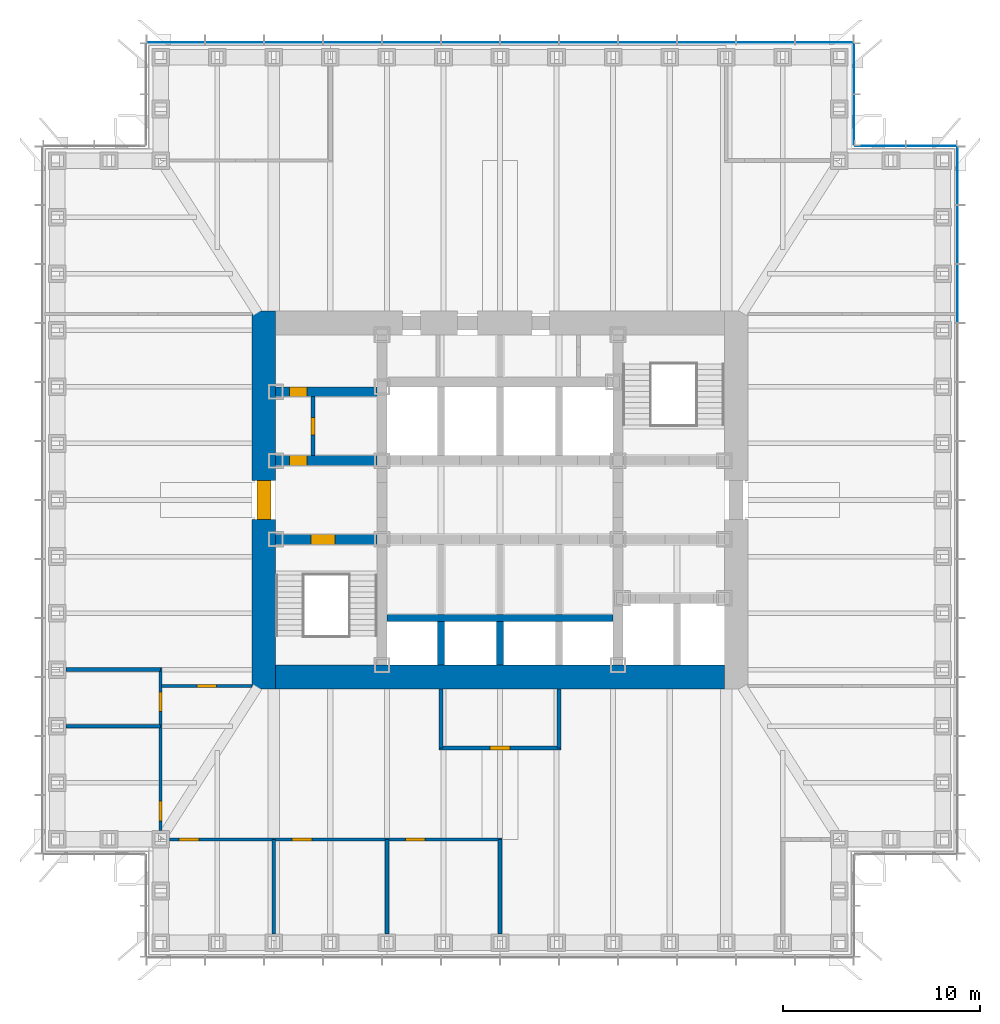
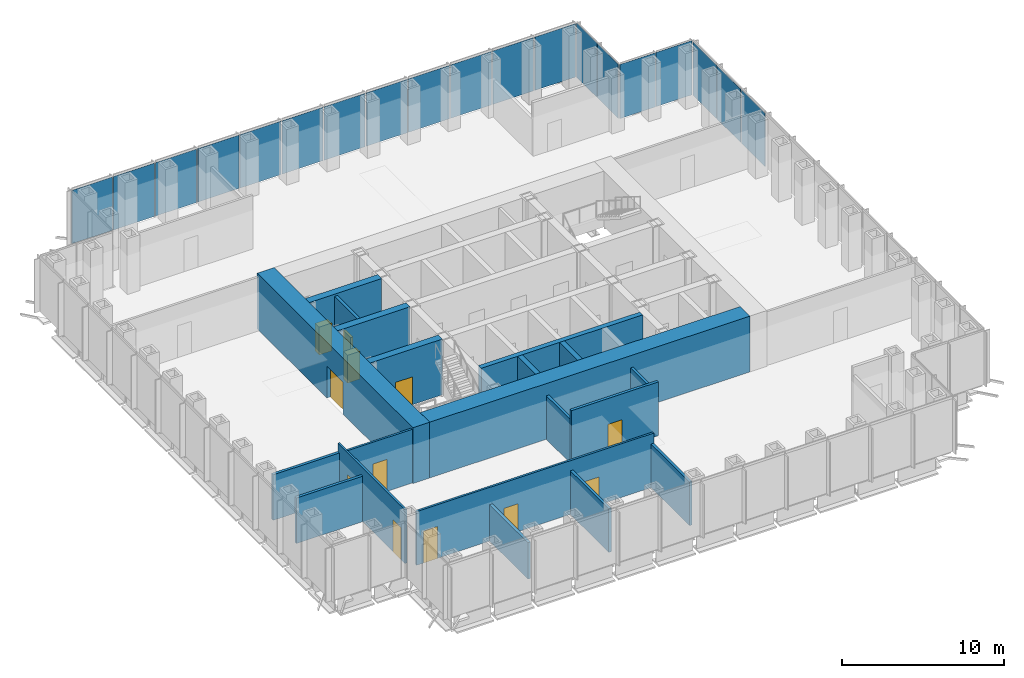
# One storey, part 8 of 17: 20 walls, 19 plates, 12 doors, 12 openings, 4 elements without a shape of their own.
"""IFC4 building model written with IfcOpenShell, lengths in metres."""

from ifc_helpers import new_model, si_unit, direction, frame, frame_2d, origin, origin_2d, place, context, subcontext, project, spatial, rectangle, extrude, material, layer, layer_set, type_object, element, fill, aggregate, save


model = new_model("IFC4")

# Units and contexts
model_context = context("Model", 3, precision=1e-05, world=origin(), true_north=direction((0.0, 1.0)))
body_context = subcontext(model_context, "Body", "Model", "MODEL_VIEW")
ifc_project = project(units=[si_unit("LENGTHUNIT", "METRE"), si_unit("AREAUNIT", "SQUARE_METRE"), si_unit("VOLUMEUNIT", "CUBIC_METRE"), si_unit("PLANEANGLEUNIT", "RADIAN"), si_unit("MASSUNIT", "GRAM", prefix="KILO")], contexts=[model_context])

# Site, building, storey
site_placement = place(None, origin())
site = spatial("IfcSite", under=ifc_project, at=site_placement, CompositionType="ELEMENT")
building_placement = place(site_placement, origin())
building = spatial("IfcBuilding", under=site, at=building_placement, Name="Daluyong Arena Tower", CompositionType="ELEMENT")
storey_placement = place(building_placement, frame((0.0, 0.0, 112.300048828125)))
storey = spatial("IfcBuildingStorey", under=building, at=storey_placement, Name="L24", CompositionType="ELEMENT", Elevation=112.300048828125)

# Curtain wall, plates
ifc_material_1 = material(Name="Bronze anodised aluminium and glass", Category="aluminium")
curtain_wall_type_1 = type_object("IfcCurtainWallType", Name="Curtain wall CW2", PredefinedType="USERDEFINED", material=ifc_material_1)
curtain_wall_1_placement = place(storey_placement, origin())
curtain_wall_1 = element("IfcCurtainWall", 1, at=curtain_wall_1_placement, inside=storey, type_object=curtain_wall_type_1, Name="curtain wall L24 E", ObjectType="UNITISED CURTAIN WALL", PredefinedType="USERDEFINED")
ifc_material_2 = material(Name="Tinted double glazed unit", Category="glass")
ifc_layer_1 = layer(ifc_material_2, 0.031982421875)
ifc_layer_set_1 = layer_set([ifc_layer_1], Name="Tinted double glazed unit")
plate_type_1 = type_object("IfcPlateType", Name="CW2 panel 32", PredefinedType="CURTAIN_PANEL", material=ifc_layer_set_1)
plate_1_placement = place(storey_placement, frame((79.25, 90.5, 0.0), z_axis=(0.0, 0.0, 1.0), x_axis=(0.0, 1.0, 0.0)))
plate_1 = element("IfcPlate", 2, at=plate_1_placement, type_object=plate_type_1, Name="curtain wall L24 E panel 10", PredefinedType="CURTAIN_PANEL", context=body_context, shape_type="SweptSolid", body=[
    extrude(rectangle(XDim=2.919921875, YDim=0.031982421875, at=origin_2d()), origin(), (0.0, 0.0, 1.0), 4.02001953125),
])
plate_2_placement = place(storey_placement, frame((79.25, 93.5, 0.0), z_axis=(0.0, 0.0, 1.0), x_axis=(0.0, 1.0, 0.0)))
plate_2 = element("IfcPlate", 3, at=plate_2_placement, type_object=plate_type_1, Name="curtain wall L24 E panel 11", PredefinedType="CURTAIN_PANEL", context=body_context, shape_type="SweptSolid", body=[
    extrude(rectangle(XDim=2.919921875, YDim=0.031982421875, at=origin_2d()), origin(), (0.0, 0.0, 1.0), 4.02001953125),
])
plate_3_placement = place(storey_placement, frame((79.25, 96.47998046875, 0.0), z_axis=(0.0, 0.0, 1.0), x_axis=(0.0, 1.0, 0.0)))
plate_3 = element("IfcPlate", 4, at=plate_3_placement, type_object=plate_type_1, Name="curtain wall L24 E panel 12", PredefinedType="CURTAIN_PANEL", context=body_context, shape_type="SweptSolid", body=[
    extrude(rectangle(XDim=2.8798828125, YDim=0.031982421875, at=origin_2d()), origin(), (0.0, 0.0, 1.0), 4.02001953125),
])
aggregate(curtain_wall_1, [plate_1, plate_2, plate_3])

curtain_wall_2_placement = place(storey_placement, origin())
curtain_wall_2 = element("IfcCurtainWall", 5, at=curtain_wall_2_placement, inside=storey, type_object=curtain_wall_type_1, Name="curtain wall L24 N", ObjectType="UNITISED CURTAIN WALL", PredefinedType="USERDEFINED")
plate_4_placement = place(storey_placement, frame((72.47998046875, 103.25, 0.0), z_axis=(0.0, 0.0, 1.0), x_axis=(-1.0, 0.0, 0.0)))
plate_4 = element("IfcPlate", 6, at=plate_4_placement, type_object=plate_type_1, Name="curtain wall L24 N panel 1", PredefinedType="CURTAIN_PANEL", context=body_context, shape_type="SweptSolid", body=[
    extrude(rectangle(XDim=2.8798828125, YDim=0.031982421875, at=origin_2d()), origin(), (0.0, 0.0, 1.0), 4.02001953125),
])
plate_5_placement = place(storey_placement, frame((69.5, 103.25, 0.0), z_axis=(0.0, 0.0, 1.0), x_axis=(-1.0, 0.0, 0.0)))
plate_5 = element("IfcPlate", 7, at=plate_5_placement, type_object=plate_type_1, Name="curtain wall L24 N panel 2", PredefinedType="CURTAIN_PANEL", context=body_context, shape_type="SweptSolid", body=[
    extrude(rectangle(XDim=2.919921875, YDim=0.031982421875, at=origin_2d()), origin(), (0.0, 0.0, 1.0), 4.02001953125),
])
plate_6_placement = place(storey_placement, frame((66.5, 103.25, 0.0), z_axis=(0.0, 0.0, 1.0), x_axis=(-1.0, 0.0, 0.0)))
plate_6 = element("IfcPlate", 8, at=plate_6_placement, type_object=plate_type_1, Name="curtain wall L24 N panel 3", PredefinedType="CURTAIN_PANEL", context=body_context, shape_type="SweptSolid", body=[
    extrude(rectangle(XDim=2.919921875, YDim=0.031982421875, at=origin_2d()), origin(), (0.0, 0.0, 1.0), 4.02001953125),
])
plate_7_placement = place(storey_placement, frame((63.5, 103.25, 0.0), z_axis=(0.0, 0.0, 1.0), x_axis=(-1.0, 0.0, 0.0)))
plate_7 = element("IfcPlate", 9, at=plate_7_placement, type_object=plate_type_1, Name="curtain wall L24 N panel 4", PredefinedType="CURTAIN_PANEL", context=body_context, shape_type="SweptSolid", body=[
    extrude(rectangle(XDim=2.919921875, YDim=0.031982421875, at=origin_2d()), origin(), (0.0, 0.0, 1.0), 4.02001953125),
])
plate_8_placement = place(storey_placement, frame((60.5, 103.25, 0.0), z_axis=(0.0, 0.0, 1.0), x_axis=(-1.0, 0.0, 0.0)))
plate_8 = element("IfcPlate", 10, at=plate_8_placement, type_object=plate_type_1, Name="curtain wall L24 N panel 5", PredefinedType="CURTAIN_PANEL", context=body_context, shape_type="SweptSolid", body=[
    extrude(rectangle(XDim=2.919921875, YDim=0.031982421875, at=origin_2d()), origin(), (0.0, 0.0, 1.0), 4.02001953125),
])
plate_9_placement = place(storey_placement, frame((57.5, 103.25, 0.0), z_axis=(0.0, 0.0, 1.0), x_axis=(-1.0, 0.0, 0.0)))
plate_9 = element("IfcPlate", 11, at=plate_9_placement, type_object=plate_type_1, Name="curtain wall L24 N panel 6", PredefinedType="CURTAIN_PANEL", context=body_context, shape_type="SweptSolid", body=[
    extrude(rectangle(XDim=2.919921875, YDim=0.031982421875, at=origin_2d()), origin(), (0.0, 0.0, 1.0), 4.02001953125),
])
plate_10_placement = place(storey_placement, frame((54.5, 103.25, 0.0), z_axis=(0.0, 0.0, 1.0), x_axis=(-1.0, 0.0, 0.0)))
plate_10 = element("IfcPlate", 12, at=plate_10_placement, type_object=plate_type_1, Name="curtain wall L24 N panel 7", PredefinedType="CURTAIN_PANEL", context=body_context, shape_type="SweptSolid", body=[
    extrude(rectangle(XDim=2.919921875, YDim=0.031982421875, at=origin_2d()), origin(), (0.0, 0.0, 1.0), 4.02001953125),
])
plate_11_placement = place(storey_placement, frame((51.5, 103.25, 0.0), z_axis=(0.0, 0.0, 1.0), x_axis=(-1.0, 0.0, 0.0)))
plate_11 = element("IfcPlate", 13, at=plate_11_placement, type_object=plate_type_1, Name="curtain wall L24 N panel 8", PredefinedType="CURTAIN_PANEL", context=body_context, shape_type="SweptSolid", body=[
    extrude(rectangle(XDim=2.919921875, YDim=0.031982421875, at=origin_2d()), origin(), (0.0, 0.0, 1.0), 4.02001953125),
])
plate_12_placement = place(storey_placement, frame((48.5, 103.25, 0.0), z_axis=(0.0, 0.0, 1.0), x_axis=(-1.0, 0.0, 0.0)))
plate_12 = element("IfcPlate", 14, at=plate_12_placement, type_object=plate_type_1, Name="curtain wall L24 N panel 9", PredefinedType="CURTAIN_PANEL", context=body_context, shape_type="SweptSolid", body=[
    extrude(rectangle(XDim=2.919921875, YDim=0.031982421875, at=origin_2d()), origin(), (0.0, 0.0, 1.0), 4.02001953125),
])
plate_13_placement = place(storey_placement, frame((45.5, 103.25, 0.0), z_axis=(0.0, 0.0, 1.0), x_axis=(-1.0, 0.0, 0.0)))
plate_13 = element("IfcPlate", 15, at=plate_13_placement, type_object=plate_type_1, Name="curtain wall L24 N panel 10", PredefinedType="CURTAIN_PANEL", context=body_context, shape_type="SweptSolid", body=[
    extrude(rectangle(XDim=2.919921875, YDim=0.031982421875, at=origin_2d()), origin(), (0.0, 0.0, 1.0), 4.02001953125),
])
plate_14_placement = place(storey_placement, frame((42.5, 103.25, 0.0), z_axis=(0.0, 0.0, 1.0), x_axis=(-1.0, 0.0, 0.0)))
plate_14 = element("IfcPlate", 16, at=plate_14_placement, type_object=plate_type_1, Name="curtain wall L24 N panel 11", PredefinedType="CURTAIN_PANEL", context=body_context, shape_type="SweptSolid", body=[
    extrude(rectangle(XDim=2.919921875, YDim=0.031982421875, at=origin_2d()), origin(), (0.0, 0.0, 1.0), 4.02001953125),
])
plate_15_placement = place(storey_placement, frame((39.52001953125, 103.25, 0.0), z_axis=(0.0, 0.0, 1.0), x_axis=(-1.0, 0.0, 0.0)))
plate_15 = element("IfcPlate", 17, at=plate_15_placement, type_object=plate_type_1, Name="curtain wall L24 N panel 12", PredefinedType="CURTAIN_PANEL", context=body_context, shape_type="SweptSolid", body=[
    extrude(rectangle(XDim=2.8798828125, YDim=0.031982421875, at=origin_2d()), origin(), (0.0, 0.0, 1.0), 4.02001953125),
])
aggregate(curtain_wall_2, [plate_4, plate_5, plate_6, plate_7, plate_8, plate_9, plate_10, plate_11, plate_12, plate_13, plate_14, plate_15])

ifc_material_3 = material(Name="Bronze anodised aluminium and glass", Category="aluminium")
curtain_wall_type_2 = type_object("IfcCurtainWallType", Name="Curtain wall CW7", PredefinedType="USERDEFINED", material=ifc_material_3)
curtain_wall_3_placement = place(storey_placement, origin())
curtain_wall_3 = element("IfcCurtainWall", 18, at=curtain_wall_3_placement, inside=storey, type_object=curtain_wall_type_2, Name="curtain wall L24 NE-N", ObjectType="UNITISED CURTAIN WALL", PredefinedType="USERDEFINED")
ifc_material_4 = material(Name="Tinted double glazed unit", Category="glass")
ifc_layer_2 = layer(ifc_material_4, 0.028076171875)
ifc_layer_set_2 = layer_set([ifc_layer_2], Name="Tinted double glazed unit")
plate_type_2 = type_object("IfcPlateType", Name="CW7 panel 28", PredefinedType="CURTAIN_PANEL", material=ifc_layer_set_2)
plate_16_placement = place(storey_placement, frame((77.922607421875, 98.0, 0.0), z_axis=(0.0, 0.0, 1.0), x_axis=(-1.0, 0.0, 0.0)))
plate_16 = element("IfcPlate", 19, at=plate_16_placement, type_object=plate_type_2, Name="curtain wall L24 NE-N panel 1", PredefinedType="CURTAIN_PANEL", context=body_context, shape_type="SweptSolid", body=[
    extrude(rectangle(XDim=2.534912109375, YDim=0.028076171875, at=origin_2d()), origin(), (0.0, 0.0, 1.0), 4.080078125),
])
plate_17_placement = place(storey_placement, frame((75.327392578125, 98.0, 0.0), z_axis=(0.0, 0.0, 1.0), x_axis=(-1.0, 0.0, 0.0)))
plate_17 = element("IfcPlate", 20, at=plate_17_placement, type_object=plate_type_2, Name="curtain wall L24 NE-N panel 2", PredefinedType="CURTAIN_PANEL", context=body_context, shape_type="SweptSolid", body=[
    extrude(rectangle(XDim=2.534912109375, YDim=0.028076171875, at=origin_2d()), origin(), (0.0, 0.0, 1.0), 4.080078125),
])
aggregate(curtain_wall_3, [plate_16, plate_17])

curtain_wall_4_placement = place(storey_placement, origin())
curtain_wall_4 = element("IfcCurtainWall", 21, at=curtain_wall_4_placement, inside=storey, type_object=curtain_wall_type_2, Name="curtain wall L24 NE-E", ObjectType="UNITISED CURTAIN WALL", PredefinedType="USERDEFINED")
plate_18_placement = place(storey_placement, frame((74.0, 99.327392578125, 0.0), z_axis=(0.0, 0.0, 1.0), x_axis=(0.0, 1.0, 0.0)))
plate_18 = element("IfcPlate", 22, at=plate_18_placement, type_object=plate_type_2, Name="curtain wall L24 NE-E panel 1", PredefinedType="CURTAIN_PANEL", context=body_context, shape_type="SweptSolid", body=[
    extrude(rectangle(XDim=2.534912109375, YDim=0.028076171875, at=origin_2d()), origin(), (0.0, 0.0, 1.0), 4.080078125),
])
plate_19_placement = place(storey_placement, frame((74.0, 101.922607421875, 0.0), z_axis=(0.0, 0.0, 1.0), x_axis=(0.0, 1.0, 0.0)))
plate_19 = element("IfcPlate", 23, at=plate_19_placement, type_object=plate_type_2, Name="curtain wall L24 NE-E panel 2", PredefinedType="CURTAIN_PANEL", context=body_context, shape_type="SweptSolid", body=[
    extrude(rectangle(XDim=2.534912109375, YDim=0.028076171875, at=origin_2d()), origin(), (0.0, 0.0, 1.0), 4.080078125),
])
aggregate(curtain_wall_4, [plate_18, plate_19])

# Wall, opening, door
ifc_material_5 = material(Name="Concrete fc' 45 MPa", Category="concrete")
ifc_layer_3 = layer(ifc_material_5, 0.5)
ifc_layer_set_3 = layer_set([ifc_layer_3], Name="Concrete fc' 45 MPa")
wall_type_1 = type_object("IfcWallType", Name="Core inner wall 500", PredefinedType="SHEAR", material=ifc_layer_set_3)
wall_1_placement = place(storey_placement, frame((44.60009765625, 78.0, 0.0), z_axis=(0.0, 0.0, 1.0), x_axis=(1.0, 0.0, 0.0)))
wall_1 = element("IfcWall", 24, at=wall_1_placement, inside=storey, type_object=wall_type_1, Name="core inner wall at L24", PredefinedType="SHEAR", context=body_context, shape_type="SweptSolid", body=[
    extrude(rectangle(XDim=5.14990234375, YDim=0.5, at=frame_2d((2.574951171875, 0.0))), origin(), (0.0, 0.0, 1.0), 4.199951171875),
])
opening_1_placement = place(wall_1_placement, frame((1.800048828125, 0.0, 0.0)))
opening_1 = element("IfcOpeningElement", 25, at=opening_1_placement, cuts=wall_1, Name="Opening 24012", PredefinedType="OPENING", context=body_context, shape_type="SweptSolid", body=[
    extrude(rectangle(XDim=1.199951171875, YDim=2.10009765625, at=frame_2d((0.60009765625, 1.050048828125))), frame((0.0, 0.260009765625, 0.0), z_axis=(0.0, -1.0, 0.0), x_axis=(1.0, 0.0, 0.0)), (0.0, 0.0, 1.0), 0.52001953125),
])
ifc_material_6 = material(Name="Steel door, fire rated", Category="steel")
door_type_1 = type_object("IfcDoorType", Name="Stair door 1200", OperationType="SINGLE_SWING_LEFT", PredefinedType="DOOR", material=ifc_material_6)
door_1_placement = place(opening_1_placement, origin())
door_1 = element("IfcDoor", 26, at=door_1_placement, inside=storey, type_object=door_type_1, Name="stair A door 24012", OperationType="SINGLE_SWING_LEFT", OverallHeight=2.10009765625, OverallWidth=1.199951171875, PredefinedType="DOOR", context=body_context, shape_type="SweptSolid", body=[
    extrude(rectangle(XDim=1.199951171875, YDim=2.10009765625, at=frame_2d((0.60009765625, 1.050048828125))), frame((0.0, 0.249755859375, 0.0), z_axis=(0.0, -1.0, 0.0), x_axis=(1.0, 0.0, 0.0)), (0.0, 0.0, 1.0), 0.49951171875),
])
fill(opening_1, door_1)

wall_2_placement = place(storey_placement, frame((44.60009765625, 82.0, 0.0), z_axis=(0.0, 0.0, 1.0), x_axis=(1.0, 0.0, 0.0)))
wall_2 = element("IfcWall", 27, at=wall_2_placement, inside=storey, type_object=wall_type_1, Name="core inner wall at L24", PredefinedType="SHEAR", context=body_context, shape_type="SweptSolid", body=[
    extrude(rectangle(XDim=5.14990234375, YDim=0.5, at=frame_2d((2.574951171875, 0.0))), origin(), (0.0, 0.0, 1.0), 4.199951171875),
])
opening_2_placement = place(wall_2_placement, frame((0.699951171875, 0.0, 0.0)))
opening_2 = element("IfcOpeningElement", 28, at=opening_2_placement, cuts=wall_2, Name="Opening 24001", PredefinedType="OPENING", context=body_context, shape_type="SweptSolid", body=[
    extrude(rectangle(XDim=0.89990234375, YDim=2.10009765625, at=frame_2d((0.449951171875, 1.050048828125))), frame((0.0, 0.260009765625, 0.0), z_axis=(0.0, -1.0, 0.0), x_axis=(1.0, 0.0, 0.0)), (0.0, 0.0, 1.0), 0.52001953125),
])
ifc_material_7 = material(Name="Steel door, fire rated", Category="steel")
door_type_2 = type_object("IfcDoorType", Name="Core room door 900", OperationType="SINGLE_SWING_LEFT", PredefinedType="DOOR", material=ifc_material_7)
door_2_placement = place(opening_2_placement, origin())
door_2 = element("IfcDoor", 29, at=door_2_placement, inside=storey, type_object=door_type_2, Name="toilet lobby door 24001", OperationType="SINGLE_SWING_LEFT", OverallHeight=2.10009765625, OverallWidth=0.89990234375, PredefinedType="DOOR", context=body_context, shape_type="SweptSolid", body=[
    extrude(rectangle(XDim=0.89990234375, YDim=2.10009765625, at=frame_2d((0.449951171875, 1.050048828125))), frame((0.0, 0.249755859375, 0.0), z_axis=(0.0, -1.0, 0.0), x_axis=(1.0, 0.0, 0.0)), (0.0, 0.0, 1.0), 0.49951171875),
])
fill(opening_2, door_2)

wall_3_placement = place(storey_placement, frame((44.60009765625, 85.5, 0.0), z_axis=(0.0, 0.0, 1.0), x_axis=(1.0, 0.0, 0.0)))
wall_3 = element("IfcWall", 30, at=wall_3_placement, inside=storey, type_object=wall_type_1, Name="core inner wall at L24", PredefinedType="SHEAR", context=body_context, shape_type="SweptSolid", body=[
    extrude(rectangle(XDim=5.14990234375, YDim=0.5, at=frame_2d((2.574951171875, 0.0))), origin(), (0.0, 0.0, 1.0), 4.199951171875),
])
opening_3_placement = place(wall_3_placement, frame((0.699951171875, 0.0, 0.0)))
opening_3 = element("IfcOpeningElement", 31, at=opening_3_placement, cuts=wall_3, Name="Opening 24003", PredefinedType="OPENING", context=body_context, shape_type="SweptSolid", body=[
    extrude(rectangle(XDim=0.89990234375, YDim=2.10009765625, at=frame_2d((0.449951171875, 1.050048828125))), frame((0.0, 0.260009765625, 0.0), z_axis=(0.0, -1.0, 0.0), x_axis=(1.0, 0.0, 0.0)), (0.0, 0.0, 1.0), 0.52001953125),
])
ifc_material_8 = material(Name="Timber door", Category="wood")
door_type_3 = type_object("IfcDoorType", Name="Toilet door 900", OperationType="SINGLE_SWING_RIGHT", PredefinedType="DOOR", material=ifc_material_8)
door_3_placement = place(opening_3_placement, origin())
door_3 = element("IfcDoor", 32, at=door_3_placement, inside=storey, type_object=door_type_3, Name="female toilet door 24003", OperationType="SINGLE_SWING_RIGHT", OverallHeight=2.10009765625, OverallWidth=0.89990234375, PredefinedType="DOOR", context=body_context, shape_type="SweptSolid", body=[
    extrude(rectangle(XDim=0.89990234375, YDim=2.10009765625, at=frame_2d((0.449951171875, 1.050048828125))), frame((0.0, 0.249755859375, 0.0), z_axis=(0.0, -1.0, 0.0), x_axis=(1.0, 0.0, 0.0)), (0.0, 0.0, 1.0), 0.49951171875),
])
fill(opening_3, door_3)

ifc_material_9 = material(Name="Concrete fc' 60 MPa", Category="concrete")
ifc_layer_4 = layer(ifc_material_9, 1.199951171875)
ifc_layer_set_4 = layer_set([ifc_layer_4], Name="Concrete fc' 60 MPa")
wall_type_2 = type_object("IfcWallType", Name="Core wall 1200", PredefinedType="SHEAR", material=ifc_layer_set_4)
wall_4_placement = place(storey_placement, frame((44.0, 70.39990234375, 0.0), z_axis=(0.0, 0.0, 1.0), x_axis=(0.0, 1.0, 0.0)))
wall_4 = element("IfcWall", 33, at=wall_4_placement, inside=storey, type_object=wall_type_2, Name="core wall at L24", PredefinedType="SHEAR", context=body_context, shape_type="SweptSolid", body=[
    extrude(rectangle(XDim=19.2001953125, YDim=1.199951171875, at=frame_2d((9.60009765625, 0.0))), origin(), (0.0, 0.0, 1.0), 4.199951171875),
])
opening_4_placement = place(wall_4_placement, frame((8.60009765625, 0.0, 0.0)))
opening_4 = element("IfcOpeningElement", 34, at=opening_4_placement, cuts=wall_4, Name="Opening 24014", PredefinedType="OPENING", context=body_context, shape_type="SweptSolid", body=[
    extrude(rectangle(XDim=2.0, YDim=2.39990234375, at=frame_2d((1.0, 1.199951171875))), frame((0.0, 0.60986328125, 0.0), z_axis=(0.0, -1.0, 0.0), x_axis=(1.0, 0.0, 0.0)), (0.0, 0.0, 1.0), 1.219970703125),
])
ifc_material_10 = material(Name="Steel door, fire rated", Category="steel")
door_type_4 = type_object("IfcDoorType", Name="Core lobby double door 2000", OperationType="DOUBLE_DOOR_SINGLE_SWING", PredefinedType="DOOR", material=ifc_material_10)
door_4_placement = place(opening_4_placement, origin())
door_4 = element("IfcDoor", 35, at=door_4_placement, inside=storey, type_object=door_type_4, Name="core lobby door west 24014", OperationType="DOUBLE_DOOR_SINGLE_SWING", OverallHeight=2.39990234375, OverallWidth=2.0, PredefinedType="DOOR", context=body_context, shape_type="SweptSolid", body=[
    extrude(rectangle(XDim=2.0, YDim=2.39990234375, at=frame_2d((1.0, 1.199951171875))), frame((0.0, 0.35009765625, 0.0), z_axis=(0.0, -1.0, 0.0), x_axis=(1.0, 0.0, 0.0)), (0.0, 0.0, 1.0), 0.699951171875),
])
fill(opening_4, door_4)

# Wall
wall_5_placement = place(storey_placement, frame((44.60009765625, 71.0, 0.0), z_axis=(0.0, 0.0, 1.0), x_axis=(1.0, 0.0, 0.0)))
element("IfcWall", 36, at=wall_5_placement, inside=storey, type_object=wall_type_2, Name="core wall at L24", PredefinedType="SHEAR", context=body_context, shape_type="SweptSolid", body=[
    extrude(rectangle(XDim=22.7998046875, YDim=1.199951171875, at=frame_2d((11.39990234375, 0.0))), origin(), (0.0, 0.0, 1.0), 4.199951171875),
])

# Wall, opening, door
ifc_material_11 = material(Name="Concrete block partition, fire rated", Category="concrete")
ifc_layer_5 = layer(ifc_material_11, 0.199951171875)
ifc_layer_set_5 = layer_set([ifc_layer_5], Name="Concrete block partition, fire rated")
wall_type_3 = type_object("IfcWallType", Name="Fire-rated partition 200", PredefinedType="PARTITIONING", material=ifc_layer_set_5)
wall_6_placement = place(storey_placement, frame((46.5, 82.25, 0.0), z_axis=(0.0, 0.0, 1.0), x_axis=(0.0, 1.0, 0.0)))
wall_6 = element("IfcWall", 37, at=wall_6_placement, inside=storey, type_object=wall_type_3, Name="toilet lobby partition at L24", PredefinedType="PARTITIONING", context=body_context, shape_type="SweptSolid", body=[
    extrude(rectangle(XDim=3.0, YDim=0.199951171875, at=frame_2d((1.5, 0.0))), origin(), (0.0, 0.0, 1.0), 4.0400390625),
])
opening_5_placement = place(wall_6_placement, frame((1.050048828125, 0.0, 0.0)))
opening_5 = element("IfcOpeningElement", 38, at=opening_5_placement, cuts=wall_6, Name="Opening 24002", PredefinedType="OPENING", context=body_context, shape_type="SweptSolid", body=[
    extrude(rectangle(XDim=0.89990234375, YDim=2.10009765625, at=frame_2d((0.449951171875, 1.050048828125))), frame((0.0, 0.10986328125, 0.0), z_axis=(0.0, -1.0, 0.0), x_axis=(1.0, 0.0, 0.0)), (0.0, 0.0, 1.0), 0.219970703125),
])
door_5_placement = place(opening_5_placement, origin())
door_5 = element("IfcDoor", 39, at=door_5_placement, inside=storey, type_object=door_type_3, Name="male toilet door 24002", OperationType="SINGLE_SWING_RIGHT", OverallHeight=2.10009765625, OverallWidth=0.89990234375, PredefinedType="DOOR", context=body_context, shape_type="SweptSolid", body=[
    extrude(rectangle(XDim=0.89990234375, YDim=2.10009765625, at=frame_2d((0.449951171875, 1.050048828125))), frame((0.0, 0.099609375, 0.0), z_axis=(0.0, -1.0, 0.0), x_axis=(1.0, 0.0, 0.0)), (0.0, 0.0, 1.0), 0.199462890625),
])
fill(opening_5, door_5)

# Wall, openings, doors
ifc_material_12 = material(Name="Glazed aluminium partition", Category="aluminium")
ifc_layer_6 = layer(ifc_material_12, 0.14990234375)
ifc_layer_set_6 = layer_set([ifc_layer_6], Name="Glazed aluminium partition")
wall_type_4 = type_object("IfcWallType", Name="Glazed partition 150", PredefinedType="PARTITIONING", material=ifc_layer_set_6)
wall_7_placement = place(storey_placement, frame((39.199951171875, 62.75, 0.0), z_axis=(0.0, 0.0, 1.0), x_axis=(1.0, 0.0, 0.0)))
wall_7 = element("IfcWall", 40, at=wall_7_placement, inside=storey, type_object=wall_type_4, Name="glazed partition at L24", PredefinedType="PARTITIONING", context=body_context, shape_type="SweptSolid", body=[
    extrude(rectangle(XDim=16.900146484375, YDim=0.14990234375, at=frame_2d((8.4501953125, 0.0))), origin(), (0.0, 0.0, 1.0), 4.0400390625),
])
opening_6_placement = place(wall_7_placement, frame((0.487548828125, 0.0, 0.0)))
opening_6 = element("IfcOpeningElement", 41, at=opening_6_placement, cuts=wall_7, Name="Opening 24025", PredefinedType="OPENING", context=body_context, shape_type="SweptSolid", body=[
    extrude(rectangle(XDim=1.0, YDim=2.39990234375, at=frame_2d((0.5, 1.199951171875))), frame((0.0, 0.0849609375, 0.0), z_axis=(0.0, -1.0, 0.0), x_axis=(1.0, 0.0, 0.0)), (0.0, 0.0, 1.0), 0.169921875),
])
opening_7_placement = place(wall_7_placement, frame((6.237548828125, 0.0, 0.0)))
opening_7 = element("IfcOpeningElement", 42, at=opening_7_placement, cuts=wall_7, Name="Opening 24026", PredefinedType="OPENING", context=body_context, shape_type="SweptSolid", body=[
    extrude(rectangle(XDim=1.0, YDim=2.10009765625, at=frame_2d((0.5, 1.050048828125))), frame((0.0, 0.0849609375, 0.0), z_axis=(0.0, -1.0, 0.0), x_axis=(1.0, 0.0, 0.0)), (0.0, 0.0, 1.0), 0.169921875),
])
opening_8_placement = place(wall_7_placement, frame((11.987548828125, 0.0, 0.0)))
opening_8 = element("IfcOpeningElement", 43, at=opening_8_placement, cuts=wall_7, Name="Opening 24027", PredefinedType="OPENING", context=body_context, shape_type="SweptSolid", body=[
    extrude(rectangle(XDim=1.0, YDim=2.10009765625, at=frame_2d((0.5, 1.050048828125))), frame((0.0, 0.0849609375, 0.0), z_axis=(0.0, -1.0, 0.0), x_axis=(1.0, 0.0, 0.0)), (0.0, 0.0, 1.0), 0.169921875),
])
ifc_material_13 = material(Name="Glazed aluminium door", Category="aluminium")
door_type_5 = type_object("IfcDoorType", Name="Meeting room glazed door 1000", OperationType="SINGLE_SWING_RIGHT", PredefinedType="DOOR", material=ifc_material_13)
door_6_placement = place(opening_6_placement, origin())
door_6 = element("IfcDoor", 44, at=door_6_placement, inside=storey, type_object=door_type_5, Name="meeting room door 24025", OperationType="SINGLE_SWING_RIGHT", OverallHeight=2.39990234375, OverallWidth=1.0, PredefinedType="DOOR", context=body_context, shape_type="SweptSolid", body=[
    extrude(rectangle(XDim=1.0, YDim=2.39990234375, at=frame_2d((0.5, 1.199951171875))), frame((0.0, 0.07470703125, 0.0), z_axis=(0.0, -1.0, 0.0), x_axis=(1.0, 0.0, 0.0)), (0.0, 0.0, 1.0), 0.1494140625),
])
fill(opening_6, door_6)
ifc_material_14 = material(Name="Timber door", Category="wood")
door_type_6 = type_object("IfcDoorType", Name="Room door 1000", OperationType="SINGLE_SWING_LEFT", PredefinedType="DOOR", material=ifc_material_14)
door_7_placement = place(opening_7_placement, origin())
door_7 = element("IfcDoor", 45, at=door_7_placement, inside=storey, type_object=door_type_6, Name="office door 24026", OperationType="SINGLE_SWING_LEFT", OverallHeight=2.10009765625, OverallWidth=1.0, PredefinedType="DOOR", context=body_context, shape_type="SweptSolid", body=[
    extrude(rectangle(XDim=1.0, YDim=2.10009765625, at=frame_2d((0.5, 1.050048828125))), frame((0.0, 0.07470703125, 0.0), z_axis=(0.0, -1.0, 0.0), x_axis=(1.0, 0.0, 0.0)), (0.0, 0.0, 1.0), 0.1494140625),
])
fill(opening_7, door_7)
door_8_placement = place(opening_8_placement, origin())
door_8 = element("IfcDoor", 46, at=door_8_placement, inside=storey, type_object=door_type_6, Name="office door 24027", OperationType="SINGLE_SWING_LEFT", OverallHeight=2.10009765625, OverallWidth=1.0, PredefinedType="DOOR", context=body_context, shape_type="SweptSolid", body=[
    extrude(rectangle(XDim=1.0, YDim=2.10009765625, at=frame_2d((0.5, 1.050048828125))), frame((0.0, 0.07470703125, 0.0), z_axis=(0.0, -1.0, 0.0), x_axis=(1.0, 0.0, 0.0)), (0.0, 0.0, 1.0), 0.1494140625),
])
fill(opening_8, door_8)

# Wall, opening, door
wall_8_placement = place(storey_placement, frame((38.800048828125, 70.550048828125, 0.0), z_axis=(0.0, 0.0, 1.0), x_axis=(1.0, 0.0, 0.0)))
wall_8 = element("IfcWall", 47, at=wall_8_placement, inside=storey, type_object=wall_type_4, Name="glazed partition at L24", PredefinedType="PARTITIONING", context=body_context, shape_type="SweptSolid", body=[
    extrude(rectangle(XDim=4.599853515625, YDim=0.14990234375, at=frame_2d((2.2998046875, 0.0))), origin(), (0.0, 0.0, 1.0), 4.0400390625),
])
opening_9_placement = place(wall_8_placement, frame((1.800048828125, 0.0, 0.0)))
opening_9 = element("IfcOpeningElement", 48, at=opening_9_placement, cuts=wall_8, Name="Opening 24034", PredefinedType="OPENING", context=body_context, shape_type="SweptSolid", body=[
    extrude(rectangle(XDim=1.0, YDim=2.39990234375, at=frame_2d((0.5, 1.199951171875))), frame((0.0, 0.0849609375, 0.0), z_axis=(0.0, -1.0, 0.0), x_axis=(1.0, 0.0, 0.0)), (0.0, 0.0, 1.0), 0.169921875),
])
door_9_placement = place(opening_9_placement, origin())
door_9 = element("IfcDoor", 49, at=door_9_placement, inside=storey, type_object=door_type_5, Name="team area screen door 24034", OperationType="SINGLE_SWING_RIGHT", OverallHeight=2.39990234375, OverallWidth=1.0, PredefinedType="DOOR", context=body_context, shape_type="SweptSolid", body=[
    extrude(rectangle(XDim=1.0, YDim=2.39990234375, at=frame_2d((0.5, 1.199951171875))), frame((0.0, 0.07470703125, 0.0), z_axis=(0.0, -1.0, 0.0), x_axis=(1.0, 0.0, 0.0)), (0.0, 0.0, 1.0), 0.1494140625),
])
fill(opening_9, door_9)

# Wall, openings, doors
wall_9_placement = place(storey_placement, frame((38.75, 63.199951171875, 0.0), z_axis=(0.0, 0.0, 1.0), x_axis=(0.0, 1.0, 0.0)))
wall_9 = element("IfcWall", 50, at=wall_9_placement, inside=storey, type_object=wall_type_4, Name="glazed partition at L24", PredefinedType="PARTITIONING", context=body_context, shape_type="SweptSolid", body=[
    extrude(rectangle(XDim=8.275146484375, YDim=0.14990234375, at=frame_2d((4.1376953125, 0.0))), origin(), (0.0, 0.0, 1.0), 4.0400390625),
])
opening_10_placement = place(wall_9_placement, frame((0.487548828125, 0.0, 0.0)))
opening_10 = element("IfcOpeningElement", 51, at=opening_10_placement, cuts=wall_9, Name="Opening 24031", PredefinedType="OPENING", context=body_context, shape_type="SweptSolid", body=[
    extrude(rectangle(XDim=1.0, YDim=2.39990234375, at=frame_2d((0.5, 1.199951171875))), frame((0.0, 0.0849609375, 0.0), z_axis=(0.0, -1.0, 0.0), x_axis=(1.0, 0.0, 0.0)), (0.0, 0.0, 1.0), 0.169921875),
])
opening_11_placement = place(wall_9_placement, frame((6.050048828125, 0.0, 0.0)))
opening_11 = element("IfcOpeningElement", 52, at=opening_11_placement, cuts=wall_9, Name="Opening 24032", PredefinedType="OPENING", context=body_context, shape_type="SweptSolid", body=[
    extrude(rectangle(XDim=1.0, YDim=2.39990234375, at=frame_2d((0.5, 1.199951171875))), frame((0.0, 0.0849609375, 0.0), z_axis=(0.0, -1.0, 0.0), x_axis=(1.0, 0.0, 0.0)), (0.0, 0.0, 1.0), 0.169921875),
])
door_10_placement = place(opening_10_placement, origin())
door_10 = element("IfcDoor", 53, at=door_10_placement, inside=storey, type_object=door_type_5, Name="meeting room door 24031", OperationType="SINGLE_SWING_RIGHT", OverallHeight=2.39990234375, OverallWidth=1.0, PredefinedType="DOOR", context=body_context, shape_type="SweptSolid", body=[
    extrude(rectangle(XDim=1.0, YDim=2.39990234375, at=frame_2d((0.5, 1.199951171875))), frame((0.0, 0.07470703125, 0.0), z_axis=(0.0, -1.0, 0.0), x_axis=(1.0, 0.0, 0.0)), (0.0, 0.0, 1.0), 0.1494140625),
])
fill(opening_10, door_10)
door_11_placement = place(opening_11_placement, origin())
door_11 = element("IfcDoor", 54, at=door_11_placement, inside=storey, type_object=door_type_5, Name="focus room door 24032", OperationType="SINGLE_SWING_RIGHT", OverallHeight=2.39990234375, OverallWidth=1.0, PredefinedType="DOOR", context=body_context, shape_type="SweptSolid", body=[
    extrude(rectangle(XDim=1.0, YDim=2.39990234375, at=frame_2d((0.5, 1.199951171875))), frame((0.0, 0.07470703125, 0.0), z_axis=(0.0, -1.0, 0.0), x_axis=(1.0, 0.0, 0.0)), (0.0, 0.0, 1.0), 0.1494140625),
])
fill(opening_11, door_11)

# Walls
ifc_material_15 = material(Name="Concrete fc' 45 MPa", Category="concrete")
ifc_layer_7 = layer(ifc_material_15, 0.35009765625)
ifc_layer_set_7 = layer_set([ifc_layer_7], Name="Concrete fc' 45 MPa")
wall_type_5 = type_object("IfcWallType", Name="Lift shaft wall 350", PredefinedType="SHEAR", material=ifc_layer_set_7)
wall_10_placement = place(storey_placement, frame((50.25, 74.0, 0.0), z_axis=(0.0, 0.0, 1.0), x_axis=(1.0, 0.0, 0.0)))
element("IfcWall", 55, at=wall_10_placement, inside=storey, type_object=wall_type_5, Name="lift shaft wall at L24", PredefinedType="SHEAR", context=body_context, shape_type="SweptSolid", body=[
    extrude(rectangle(XDim=11.5, YDim=0.35009765625, at=frame_2d((5.75, 0.0))), origin(), (0.0, 0.0, 1.0), 4.199951171875),
])
for number, where, z_axis, x_axis, name in (
    (56, (53.0, 71.60009765625, 0.0), (0.0, 0.0, 1.0), (0.0, 1.0, 0.0), "lift shaft wall at L24"),
    (57, (56.0, 71.60009765625, 0.0), (0.0, 0.0, 1.0), (0.0, 1.0, 0.0), "lift shaft wall at L24"),
):
    element("IfcWall", number, at=place(storey_placement, frame(where, z_axis=z_axis, x_axis=x_axis)), inside=storey, type_object=wall_type_5, Name=name, PredefinedType="SHEAR", context=body_context, shape_type="SweptSolid", body=[
        extrude(rectangle(XDim=2.224853515625, YDim=0.35009765625, at=frame_2d((1.1123046875, 0.0))), origin(), (0.0, 0.0, 1.0), 4.199951171875),
    ])
ifc_material_16 = material(Name="Concrete block partition", Category="concrete")
ifc_layer_8 = layer(ifc_material_16, 0.199951171875)
ifc_layer_set_8 = layer_set([ifc_layer_8], Name="Concrete block partition")
wall_type_6 = type_object("IfcWallType", Name="Partition 200", PredefinedType="PARTITIONING", material=ifc_layer_set_8)
wall_11_placement = place(storey_placement, frame((44.5, 57.949951171875, 0.0), z_axis=(0.0, 0.0, 1.0), x_axis=(0.0, 1.0, 0.0)))
element("IfcWall", 58, at=wall_11_placement, inside=storey, type_object=wall_type_6, Name="partition at L24", PredefinedType="PARTITIONING", context=body_context, shape_type="SweptSolid", body=[
    extrude(rectangle(XDim=4.800048828125, YDim=0.199951171875, at=frame_2d((2.39990234375, 0.0))), origin(), (0.0, 0.0, 1.0), 2.739990234375),
])
for number, where, z_axis, x_axis, name in (
    (59, (50.25, 57.949951171875, 0.0), (0.0, 0.0, 1.0), (0.0, 1.0, 0.0), "partition at L24"),
    (60, (56.0, 57.949951171875, 0.0), (0.0, 0.0, 1.0), (0.0, 1.0, 0.0), "partition at L24"),
):
    element("IfcWall", number, at=place(storey_placement, frame(where, z_axis=z_axis, x_axis=x_axis)), inside=storey, type_object=wall_type_6, Name=name, PredefinedType="PARTITIONING", context=body_context, shape_type="SweptSolid", body=[
        extrude(rectangle(XDim=4.800048828125, YDim=0.199951171875, at=frame_2d((2.39990234375, 0.0))), origin(), (0.0, 0.0, 1.0), 3.27783203125),
    ])
for number, where, z_axis, x_axis, name in (
    (61, (33.949951171875, 68.5, 0.0), (0.0, 0.0, 1.0), (1.0, 0.0, 0.0), "partition at L24"),
    (62, (33.949951171875, 71.375, 0.0), (0.0, 0.0, 1.0), (1.0, 0.0, 0.0), "partition at L24"),
):
    element("IfcWall", number, at=place(storey_placement, frame(where, z_axis=z_axis, x_axis=x_axis)), inside=storey, type_object=wall_type_6, Name=name, PredefinedType="PARTITIONING", context=body_context, shape_type="SweptSolid", body=[
        extrude(rectangle(XDim=4.800048828125, YDim=0.199951171875, at=frame_2d((2.39990234375, 0.0))), origin(), (0.0, 0.0, 1.0), 3.427734375),
    ])
for number, where, z_axis, x_axis, name in (
    (63, (53.0, 67.39990234375, 0.0), (0.0, 0.0, 1.0), (0.0, 1.0, 0.0), "partition at L24"),
    (64, (59.0, 67.39990234375, 0.0), (0.0, 0.0, 1.0), (0.0, 1.0, 0.0), "partition at L24"),
):
    element("IfcWall", number, at=place(storey_placement, frame(where, z_axis=z_axis, x_axis=x_axis)), inside=storey, type_object=wall_type_6, Name=name, PredefinedType="PARTITIONING", context=body_context, shape_type="SweptSolid", body=[
        extrude(rectangle(XDim=3.0, YDim=0.199951171875, at=frame_2d((1.5, 0.0))), origin(), (0.0, 0.0, 1.0), 3.27783203125),
    ])

# Wall, opening, door
wall_12_placement = place(storey_placement, frame((52.89990234375, 67.39990234375, 0.0), z_axis=(0.0, 0.0, 1.0), x_axis=(1.0, 0.0, 0.0)))
wall_12 = element("IfcWall", 65, at=wall_12_placement, inside=storey, type_object=wall_type_6, Name="partition at L24", PredefinedType="PARTITIONING", context=body_context, shape_type="SweptSolid", body=[
    extrude(rectangle(XDim=6.2001953125, YDim=0.199951171875, at=frame_2d((3.10009765625, 0.0))), origin(), (0.0, 0.0, 1.0), 4.0400390625),
])
opening_12_placement = place(wall_12_placement, frame((2.60009765625, 0.0, 0.0)))
opening_12 = element("IfcOpeningElement", 66, at=opening_12_placement, cuts=wall_12, Name="Opening 24033", PredefinedType="OPENING", context=body_context, shape_type="SweptSolid", body=[
    extrude(rectangle(XDim=1.0, YDim=2.10009765625, at=frame_2d((0.5, 1.050048828125))), frame((0.0, 0.10986328125, 0.0), z_axis=(0.0, -1.0, 0.0), x_axis=(1.0, 0.0, 0.0)), (0.0, 0.0, 1.0), 0.219970703125),
])
door_12_placement = place(opening_12_placement, origin())
door_12 = element("IfcDoor", 67, at=door_12_placement, inside=storey, type_object=door_type_6, Name="copy room door 24033", OperationType="SINGLE_SWING_LEFT", OverallHeight=2.10009765625, OverallWidth=1.0, PredefinedType="DOOR", context=body_context, shape_type="SweptSolid", body=[
    extrude(rectangle(XDim=1.0, YDim=2.10009765625, at=frame_2d((0.5, 1.050048828125))), frame((0.0, 0.099609375, 0.0), z_axis=(0.0, -1.0, 0.0), x_axis=(1.0, 0.0, 0.0)), (0.0, 0.0, 1.0), 0.199462890625),
])
fill(opening_12, door_12)

save(model, "model.ifc")
